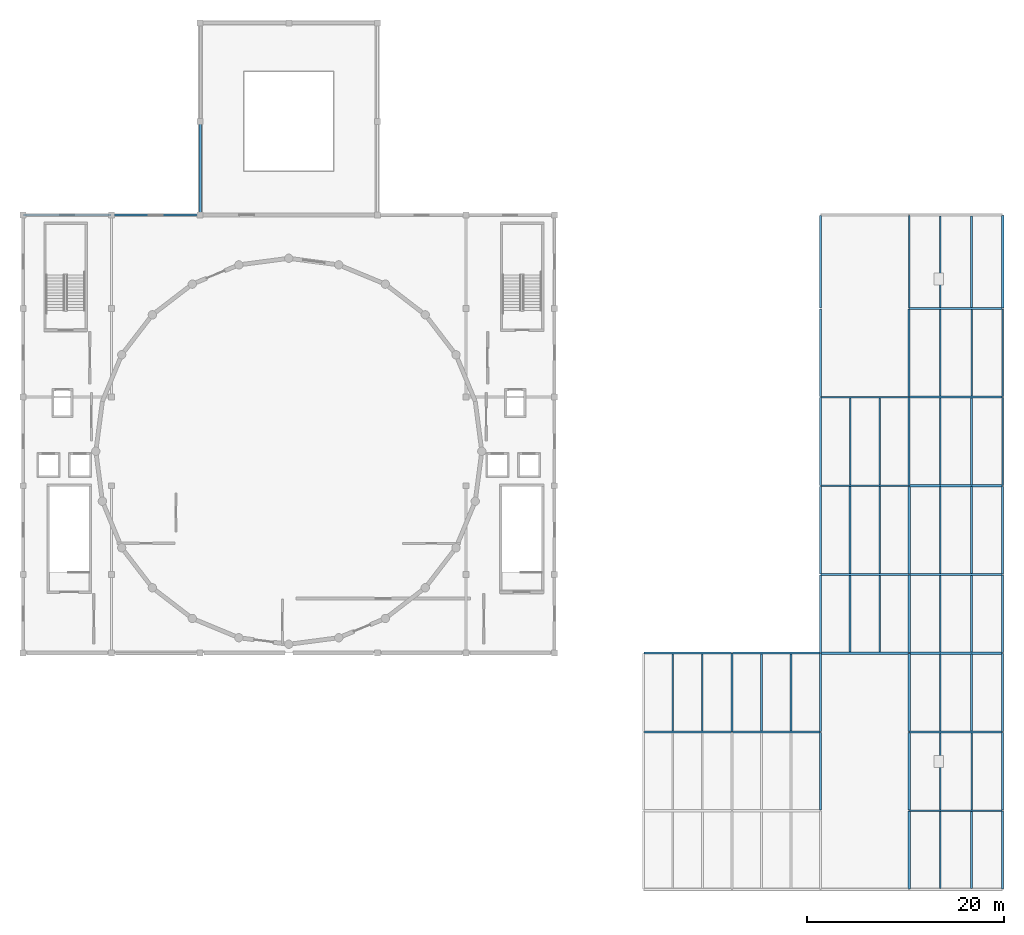
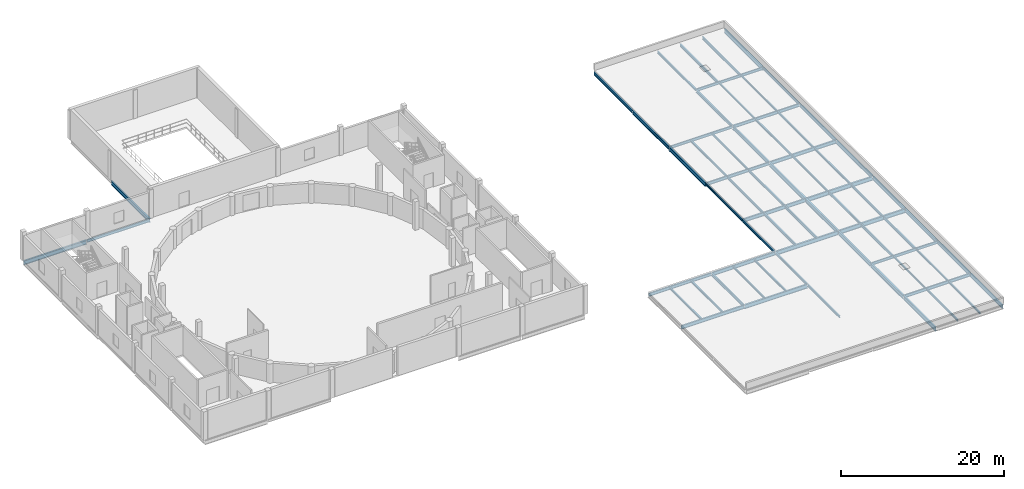
# One storey, part 2 of 10: 68 beams.
"""IFC4 building model written with IfcOpenShell, lengths in metres."""

import ifcopenshell
import ifcopenshell.guid

model = None  # the IFC model being written
_history = None  # IfcOwnerHistory: only IFC2X3 demands one
_inside = {}  # id of a spatial element -> (the spatial element, [elements in it])
_under = {}  # id of a project, library or spatial element -> (it, [spatial elements below it])
_declared = {}  # id of a project -> (the project, [libraries it declares])
_typed = {}  # id of a type object -> (the type object, [elements of that type])
_made_of = {}  # id of a material, layer set ... -> (it, [elements and type objects made of it])


def new_model(schema):
    """Start an empty IFC model of exactly this schema.

    Asked for "IFC4X3", IfcOpenShell would pick the latest addendum, in which some entities
    have other attributes; the version numbers below select the first issue.
    IFC2X3 requires an IfcOwnerHistory on every rooted entity: one is made here for all.
    """
    global model, _history
    if schema == "IFC4X3":
        model = ifcopenshell.file(schema_version=(4, 3, 0, 0))
    else:
        model = ifcopenshell.file(schema=schema)
    _inside.clear()
    _under.clear()
    _declared.clear()
    _typed.clear()
    _made_of.clear()
    _history = None
    if model.schema == "IFC2X3":
        org = make("IfcOrganization", Name="unknown")
        user = make(
            "IfcPersonAndOrganization",
            ThePerson=make("IfcPerson", FamilyName="unknown"),
            TheOrganization=org,
        )
        app = make(
            "IfcApplication",
            ApplicationDeveloper=org,
            Version="unknown",
            ApplicationFullName="unknown",
            ApplicationIdentifier="unknown",
        )
        _history = make(
            "IfcOwnerHistory",
            OwningUser=user,
            OwningApplication=app,
            ChangeAction="ADDED",
            CreationDate=0,
        )
    return model


def make(cls, **values):
    """One entity of the class cls with the attributes given. An attribute that is None is left unset."""
    return model.create_entity(
        cls, **{name: value for name, value in values.items() if value is not None}
    )


def rooted(cls, **values):
    """An entity with a GlobalId (a new one), such as an element, a storey or a relation."""
    return make(cls, GlobalId=ifcopenshell.guid.new(), OwnerHistory=_history, **values)


def si_unit(unit_type, name, prefix=None):
    """IfcSIUnit, for example si_unit("LENGTHUNIT", "METRE", prefix="MILLI")."""
    return make("IfcSIUnit", UnitType=unit_type, Prefix=prefix, Name=name)


def assignment(units):
    """IfcUnitAssignment: the units of a project."""
    return None if units is None else make("IfcUnitAssignment", Units=units)


def point(xyz):
    """IfcCartesianPoint."""
    return None if xyz is None else make("IfcCartesianPoint", Coordinates=xyz)


def direction(xyz):
    """IfcDirection."""
    return None if xyz is None else make("IfcDirection", DirectionRatios=xyz)


def frame(location, z_axis=None, x_axis=None):
    """IfcAxis2Placement3D, a coordinate frame: its origin and axes. An axis left out is left unset."""
    return make(
        "IfcAxis2Placement3D",
        Location=point(location),
        Axis=direction(z_axis),
        RefDirection=direction(x_axis),
    )


def frame_2d(location, x_axis=None):
    """IfcAxis2Placement2D, a coordinate frame in the plane: its origin and x axis."""
    return make(
        "IfcAxis2Placement2D", Location=point(location), RefDirection=direction(x_axis)
    )


def origin():
    """The frame at (0, 0, 0) with its axes left unset."""
    return frame((0.0, 0.0, 0.0))


def origin_2d():
    """The frame at (0, 0) in the plane with its x axis left unset."""
    return frame_2d((0.0, 0.0))


def place(relative_to, where):
    """IfcLocalPlacement: puts the frame where relative to a parent placement (None: the world)."""
    return make(
        "IfcLocalPlacement", PlacementRelTo=relative_to, RelativePlacement=where
    )


def context(
    kind, dimensions, precision=None, world=None, true_north=None, identifier=None
):
    """IfcGeometricRepresentationContext, for example the 3D "Model" context."""
    return make(
        "IfcGeometricRepresentationContext",
        ContextIdentifier=identifier,
        ContextType=kind,
        CoordinateSpaceDimension=dimensions,
        Precision=precision,
        WorldCoordinateSystem=world,
        TrueNorth=true_north,
    )


def subcontext(parent, identifier, kind, view, scale=None):
    """IfcGeometricRepresentationSubContext, for example "Body" below "Model"."""
    return make(
        "IfcGeometricRepresentationSubContext",
        ContextIdentifier=identifier,
        ContextType=kind,
        ParentContext=parent,
        TargetScale=scale,
        TargetView=view,
    )


def project(units=None, contexts=None):
    """IfcProject with its units and contexts."""
    return rooted(
        "IfcProject",
        Name="project",
        RepresentationContexts=contexts,
        UnitsInContext=assignment(units),
    )


def spatial(cls, under=None, at=None, **own):
    """A site, building, storey or space (cls), placed at a placement, below another one or the project."""
    s = rooted(cls, ObjectPlacement=at, **own)
    if under is not None:
        _under.setdefault(under.id(), (under, []))[1].append(s)
    return s


def profile(cls, at=None, kind="AREA", **sizes):
    """A parametric profile (cls). Its sizes go by their IFC names, for example OverallWidth=200.0."""
    return make(cls, ProfileType=kind, Position=at, **sizes)


def i_section(**sizes):
    """IfcIShapeProfileDef."""
    return profile("IfcIShapeProfileDef", **sizes)


def extrude(swept, where, along, depth):
    """IfcExtrudedAreaSolid: the profile swept, set in the frame where, extruded along a direction by depth."""
    return make(
        "IfcExtrudedAreaSolid",
        SweptArea=swept,
        Position=where,
        ExtrudedDirection=direction(along),
        Depth=depth,
    )


def shape(context_of_items, identifier, shape_type, items):
    """IfcShapeRepresentation: the items that make up one representation, for example the "Body"."""
    return make(
        "IfcShapeRepresentation",
        ContextOfItems=context_of_items,
        RepresentationIdentifier=identifier,
        RepresentationType=shape_type,
        Items=items,
    )


def material(Name=None, Category=None):
    """IfcMaterial."""
    return make("IfcMaterial", Name=Name, Category=Category)


def material_profile(
    of_material, cross_section, Name=None, Category=None, Priority=None
):
    """IfcMaterialProfile: a cross section and its material."""
    return make(
        "IfcMaterialProfile",
        Name=Name,
        Material=of_material,
        Profile=cross_section,
        Priority=Priority,
        Category=Category,
    )


def profile_set(profiles, Name=None, composite=None):
    """IfcMaterialProfileSet."""
    return make(
        "IfcMaterialProfileSet",
        Name=Name,
        MaterialProfiles=profiles,
        CompositeProfile=composite,
    )


def made_of(thing, what):
    """Note that an element or type object is made of a material, layer set ...; save() writes the relation."""
    if what is not None:
        _made_of.setdefault(what.id(), (what, []))[1].append(thing)
    return thing


def type_object(cls, material=None, **own):
    """A type object (cls), such as IfcWallType, which elements share."""
    return made_of(rooted(cls, **own), material)


def element(
    cls,
    number,
    at=None,
    inside=None,
    cuts=None,
    type_object=None,
    material=None,
    context=None,
    identifier="Body",
    shape_type=None,
    held_by="IfcProductDefinitionShape",
    body=None,
    shapes=None,
    **own,
):
    """One element of the class cls, such as IfcWall. Its Tag is "e" and its number.

    at: its placement. inside: the storey or other place that contains it. cuts: it is an
    opening in that element (IfcRelVoidsElement). A single representation is given by context,
    identifier, shape_type and body (its items); several are given by shapes. held_by: the class
    of the entity that holds the representations. save() writes the other relations.
    """
    e = rooted(cls, Tag="e%d" % number, ObjectPlacement=at, **own)
    if body is not None:
        shapes = [shape(context, identifier, shape_type, body)]
    if shapes is not None:
        e.Representation = make(held_by, Representations=shapes)
    if inside is not None:
        _inside.setdefault(inside.id(), (inside, []))[1].append(e)
    if cuts is not None:
        rooted(
            "IfcRelVoidsElement", RelatingBuildingElement=cuts, RelatedOpeningElement=e
        )
    if type_object is not None:
        _typed.setdefault(type_object.id(), (type_object, []))[1].append(e)
    return made_of(e, material)


def aggregate(whole, parts):
    """IfcRelAggregates: a whole, such as a stair, and the parts it consists of."""
    return rooted("IfcRelAggregates", RelatingObject=whole, RelatedObjects=parts)


def save(model, path):
    """Write the relations noted so far, then the file.

    IfcRelAggregates (storeys below a building ...), IfcRelContainedInSpatialStructure (elements
    in a storey), IfcRelDefinesByType, IfcRelAssociatesMaterial and IfcRelDeclares: one each for
    every whole, place, type object, material and project.
    """
    for whole, parts in _under.values():
        aggregate(whole, parts)
    for where, things in _inside.values():
        rooted(
            "IfcRelContainedInSpatialStructure",
            RelatedElements=things,
            RelatingStructure=where,
        )
    for kind, things in _typed.values():
        rooted("IfcRelDefinesByType", RelatedObjects=things, RelatingType=kind)
    for what, things in _made_of.values():
        rooted("IfcRelAssociatesMaterial", RelatedObjects=things, RelatingMaterial=what)
    for by, libraries in _declared.values():
        rooted("IfcRelDeclares", RelatingContext=by, RelatedDefinitions=libraries)
    model.write(path)


model = new_model("IFC4")

# Units and contexts
model_context = context("Model", 3, precision=1e-05, world=origin(), true_north=direction((0.0, 1.0)))
body_context = subcontext(model_context, "Body", "Model", "MODEL_VIEW")
ifc_project = project(units=[si_unit("LENGTHUNIT", "METRE"), si_unit("AREAUNIT", "SQUARE_METRE"), si_unit("VOLUMEUNIT", "CUBIC_METRE"), si_unit("PLANEANGLEUNIT", "RADIAN"), si_unit("MASSUNIT", "GRAM", prefix="KILO")], contexts=[model_context])

# Site, building, storey
site_placement = place(None, origin())
site = spatial("IfcSite", under=ifc_project, at=site_placement, CompositionType="ELEMENT")
building_placement = place(site_placement, origin())
building = spatial("IfcBuilding", under=site, at=building_placement, Name="Marnock Terrace Opera House", CompositionType="ELEMENT")
storey_placement = place(building_placement, frame((0.0, 0.0, 23.699951171875)))
storey = spatial("IfcBuildingStorey", under=building, at=storey_placement, Name="L05", CompositionType="ELEMENT", Elevation=23.699951171875)

# Beams
ifc_material = material(Name="Steel Grade 350 (AS/NZS 3679.1)", Category="steel")
ifc_material_profile_1 = material_profile(ifc_material, i_section(OverallWidth=0.1708984375, OverallDepth=0.355712890625, WebThickness=0.00732421875, FlangeThickness=0.011474609375, FilletRadius=0.011474609375, at=origin_2d()))
ifc_profile_set_1 = profile_set([ifc_material_profile_1], Name="Steel Grade 350 (AS/NZS 3679.1)")
beam_type_1 = type_object("IfcBeamType", Name="BM-GIRD-360", PredefinedType="BEAM", material=ifc_profile_set_1)
for number, where, z_axis, x_axis, name in (
    (1, (136.0, 24.050048828125, -0.397705078125), (0.0, 1.0, 0.0), (-1.0, 0.0, 0.0), "L05 girder (X=136.0, 24.0..32.0)"),
    (2, (136.0, 32.050048828125, -0.397705078125), (0.0, 1.0, 0.0), (-1.0, 0.0, 0.0), "L05 girder (X=136.0, 32.0..40.0)"),
    (3, (136.0, 40.050048828125, -0.397705078125), (0.0, 1.0, 0.0), (-1.0, 0.0, 0.0), "L05 girder (X=136.0, 40.0..48.0)"),
):
    element("IfcBeam", number, at=place(storey_placement, frame(where, z_axis=z_axis, x_axis=x_axis)), inside=storey, type_object=beam_type_1, Name=name, PredefinedType="BEAM", context=body_context, shape_type="SweptSolid", body=[
        extrude(i_section(OverallWidth=0.1708984375, OverallDepth=0.355712890625, WebThickness=0.00732421875, FlangeThickness=0.011474609375, FilletRadius=0.011474609375, at=origin_2d()), origin(), (0.0, 0.0, 1.0), 7.89990234375),
    ])
beam_1_placement = place(storey_placement, frame((136.0, 48.050048828125, -0.397705078125), z_axis=(0.0, 1.0, 0.0), x_axis=(-1.0, 0.0, 0.0)))
element("IfcBeam", 4, at=beam_1_placement, inside=storey, type_object=beam_type_1, Name="L05 girder (X=136.0, 48.0..57.0)", PredefinedType="BEAM", context=body_context, shape_type="SweptSolid", body=[
    extrude(i_section(OverallWidth=0.1708984375, OverallDepth=0.355712890625, WebThickness=0.00732421875, FlangeThickness=0.011474609375, FilletRadius=0.011474609375, at=origin_2d()), origin(), (0.0, 0.0, 1.0), 8.89990234375),
])
beam_2_placement = place(storey_placement, frame((145.0, 75.050048828125, -0.397705078125), z_axis=(0.0, 1.0, 0.0), x_axis=(-1.0, 0.0, 0.0)))
element("IfcBeam", 5, at=beam_2_placement, inside=storey, type_object=beam_type_1, Name="L05 girder (X=145.0, 75.0..84.5)", PredefinedType="BEAM", context=body_context, shape_type="SweptSolid", body=[
    extrude(i_section(OverallWidth=0.1708984375, OverallDepth=0.355712890625, WebThickness=0.00732421875, FlangeThickness=0.011474609375, FilletRadius=0.011474609375, at=origin_2d()), origin(), (0.0, 0.0, 1.0), 9.39990234375),
])
beam_3_placement = place(storey_placement, frame((154.5, 66.050048828125, -0.397705078125), z_axis=(0.0, 1.0, 0.0), x_axis=(-1.0, 0.0, 0.0)))
element("IfcBeam", 6, at=beam_3_placement, inside=storey, type_object=beam_type_1, Name="L05 girder (X=154.5, 66.0..75.0)", PredefinedType="BEAM", context=body_context, shape_type="SweptSolid", body=[
    extrude(i_section(OverallWidth=0.1708984375, OverallDepth=0.355712890625, WebThickness=0.00732421875, FlangeThickness=0.011474609375, FilletRadius=0.011474609375, at=origin_2d()), origin(), (0.0, 0.0, 1.0), 8.89990234375),
])
ifc_material_profile_2 = material_profile(ifc_material, i_section(OverallWidth=0.177978515625, OverallDepth=0.402587890625, WebThickness=0.007568359375, FlangeThickness=0.010986328125, FilletRadius=0.011474609375, at=origin_2d()))
ifc_profile_set_2 = profile_set([ifc_material_profile_2], Name="Steel Grade 350 (AS/NZS 3679.1)")
beam_type_2 = type_object("IfcBeamType", Name="BM-GIRD-410", PredefinedType="BEAM", material=ifc_profile_set_2)
beam_4_placement = place(storey_placement, frame((145.050048828125, 32.0, -0.421142578125), z_axis=(1.0, 0.0, 0.0), x_axis=(0.0, 1.0, 0.0)))
element("IfcBeam", 7, at=beam_4_placement, inside=storey, type_object=beam_type_2, Name="L05 girder (145.0..154.5, Y=32.0)", PredefinedType="BEAM", context=body_context, shape_type="SweptSolid", body=[
    extrude(i_section(OverallWidth=0.177978515625, OverallDepth=0.402587890625, WebThickness=0.007568359375, FlangeThickness=0.010986328125, FilletRadius=0.011474609375, at=origin_2d()), origin(), (0.0, 0.0, 1.0), 9.39990234375),
])
beam_5_placement = place(storey_placement, frame((136.050048828125, 66.0, -0.421142578125), z_axis=(1.0, 0.0, 0.0), x_axis=(0.0, 1.0, 0.0)))
element("IfcBeam", 8, at=beam_5_placement, inside=storey, type_object=beam_type_2, Name="L05 girder (136.0..145.0, Y=66.0)", PredefinedType="BEAM", context=body_context, shape_type="SweptSolid", body=[
    extrude(i_section(OverallWidth=0.177978515625, OverallDepth=0.402587890625, WebThickness=0.007568359375, FlangeThickness=0.010986328125, FilletRadius=0.011474609375, at=origin_2d()), origin(), (0.0, 0.0, 1.0), 8.89990234375),
])
beam_6_placement = place(storey_placement, frame((145.050048828125, 75.0, -0.421142578125), z_axis=(1.0, 0.0, 0.0), x_axis=(0.0, 1.0, 0.0)))
element("IfcBeam", 9, at=beam_6_placement, inside=storey, type_object=beam_type_2, Name="L05 girder (145.0..154.5, Y=75.0)", PredefinedType="BEAM", context=body_context, shape_type="SweptSolid", body=[
    extrude(i_section(OverallWidth=0.177978515625, OverallDepth=0.402587890625, WebThickness=0.007568359375, FlangeThickness=0.010986328125, FilletRadius=0.011474609375, at=origin_2d()), origin(), (0.0, 0.0, 1.0), 9.39990234375),
])
beam_7_placement = place(storey_placement, frame((64.050048828125, 84.5, -0.451171875), z_axis=(1.0, 0.0, 0.0), x_axis=(0.0, 1.0, 0.0)))
element("IfcBeam", 10, at=beam_7_placement, inside=storey, type_object=beam_type_2, Name="L05 girder (64.0..73.0, Y=84.5)", PredefinedType="BEAM", context=body_context, shape_type="SweptSolid", body=[
    extrude(i_section(OverallWidth=0.177978515625, OverallDepth=0.402587890625, WebThickness=0.007568359375, FlangeThickness=0.010986328125, FilletRadius=0.011474609375, at=origin_2d()), origin(), (0.0, 0.0, 1.0), 8.89990234375),
])
ifc_material_profile_3 = material_profile(ifc_material, i_section(OverallWidth=0.19091796875, OverallDepth=0.46044921875, WebThickness=0.010009765625, FlangeThickness=0.01611328125, FilletRadius=0.011474609375, at=origin_2d()))
ifc_profile_set_3 = profile_set([ifc_material_profile_3], Name="Steel Grade 350 (AS/NZS 3679.1)")
beam_type_3 = type_object("IfcBeamType", Name="BM-GIRD-460A", PredefinedType="BEAM", material=ifc_profile_set_3)
beam_8_placement = place(storey_placement, frame((145.050048828125, 24.0, -0.4501953125), z_axis=(1.0, 0.0, 0.0), x_axis=(0.0, 1.0, 0.0)))
element("IfcBeam", 11, at=beam_8_placement, inside=storey, type_object=beam_type_3, Name="L05 girder (145.0..154.5, Y=24.0)", PredefinedType="BEAM", context=body_context, shape_type="SweptSolid", body=[
    extrude(i_section(OverallWidth=0.19091796875, OverallDepth=0.46044921875, WebThickness=0.010009765625, FlangeThickness=0.01611328125, FilletRadius=0.011474609375, at=origin_2d()), origin(), (0.0, 0.0, 1.0), 9.39990234375),
])
for number, where, z_axis, x_axis, name in (
    (12, (118.050048828125, 40.0, -0.4501953125), (1.0, 0.0, 0.0), (0.0, 1.0, 0.0), "L05 girder (118.0..127.0, Y=40.0)"),
    (13, (136.050048828125, 57.0, -0.4501953125), (1.0, 0.0, 0.0), (0.0, 1.0, 0.0), "L05 girder (136.0..145.0, Y=57.0)"),
):
    element("IfcBeam", number, at=place(storey_placement, frame(where, z_axis=z_axis, x_axis=x_axis)), inside=storey, type_object=beam_type_3, Name=name, PredefinedType="BEAM", context=body_context, shape_type="SweptSolid", body=[
        extrude(i_section(OverallWidth=0.19091796875, OverallDepth=0.46044921875, WebThickness=0.010009765625, FlangeThickness=0.01611328125, FilletRadius=0.011474609375, at=origin_2d()), origin(), (0.0, 0.0, 1.0), 8.89990234375),
    ])
beam_9_placement = place(storey_placement, frame((145.050048828125, 66.0, -0.4501953125), z_axis=(1.0, 0.0, 0.0), x_axis=(0.0, 1.0, 0.0)))
element("IfcBeam", 14, at=beam_9_placement, inside=storey, type_object=beam_type_3, Name="L05 girder (145.0..154.5, Y=66.0)", PredefinedType="BEAM", context=body_context, shape_type="SweptSolid", body=[
    extrude(i_section(OverallWidth=0.19091796875, OverallDepth=0.46044921875, WebThickness=0.010009765625, FlangeThickness=0.01611328125, FilletRadius=0.011474609375, at=origin_2d()), origin(), (0.0, 0.0, 1.0), 9.39990234375),
])
ifc_material_profile_4 = material_profile(ifc_material, i_section(OverallWidth=0.18994140625, OverallDepth=0.45751953125, WebThickness=0.009033203125, FlangeThickness=0.014404296875, FilletRadius=0.011474609375, at=origin_2d()))
ifc_profile_set_4 = profile_set([ifc_material_profile_4], Name="Steel Grade 350 (AS/NZS 3679.1)")
beam_type_4 = type_object("IfcBeamType", Name="BM-GIRD-460B", PredefinedType="BEAM", material=ifc_profile_set_4)
beam_10_placement = place(storey_placement, frame((127.0, 32.050048828125, -0.44873046875), z_axis=(0.0, 1.0, 0.0), x_axis=(-1.0, 0.0, 0.0)))
element("IfcBeam", 15, at=beam_10_placement, inside=storey, type_object=beam_type_4, Name="L05 girder (X=127.0, 32.0..40.0)", PredefinedType="BEAM", context=body_context, shape_type="SweptSolid", body=[
    extrude(i_section(OverallWidth=0.18994140625, OverallDepth=0.45751953125, WebThickness=0.009033203125, FlangeThickness=0.014404296875, FilletRadius=0.011474609375, at=origin_2d()), origin(), (0.0, 0.0, 1.0), 7.89990234375),
])
beam_11_placement = place(storey_placement, frame((136.0, 75.050048828125, -0.44873046875), z_axis=(0.0, 1.0, 0.0), x_axis=(-1.0, 0.0, 0.0)))
element("IfcBeam", 16, at=beam_11_placement, inside=storey, type_object=beam_type_4, Name="L05 girder (X=136.0, 75.0..84.5)", PredefinedType="BEAM", context=body_context, shape_type="SweptSolid", body=[
    extrude(i_section(OverallWidth=0.18994140625, OverallDepth=0.45751953125, WebThickness=0.009033203125, FlangeThickness=0.014404296875, FilletRadius=0.011474609375, at=origin_2d()), origin(), (0.0, 0.0, 1.0), 9.39990234375),
])
for number, where, z_axis, x_axis, name in (
    (17, (145.0, 66.050048828125, -0.44873046875), (0.0, 1.0, 0.0), (-1.0, 0.0, 0.0), "L05 girder (X=145.0, 66.0..75.0)"),
    (18, (154.5, 57.050048828125, -0.44873046875), (0.0, 1.0, 0.0), (-1.0, 0.0, 0.0), "L05 girder (X=154.5, 57.0..66.0)"),
):
    element("IfcBeam", number, at=place(storey_placement, frame(where, z_axis=z_axis, x_axis=x_axis)), inside=storey, type_object=beam_type_4, Name=name, PredefinedType="BEAM", context=body_context, shape_type="SweptSolid", body=[
        extrude(i_section(OverallWidth=0.18994140625, OverallDepth=0.45751953125, WebThickness=0.009033203125, FlangeThickness=0.014404296875, FilletRadius=0.011474609375, at=origin_2d()), origin(), (0.0, 0.0, 1.0), 8.89990234375),
    ])
ifc_material_profile_5 = material_profile(ifc_material, i_section(OverallWidth=0.208984375, OverallDepth=0.532958984375, WebThickness=0.01025390625, FlangeThickness=0.015625, FilletRadius=0.013916015625, at=origin_2d()))
ifc_profile_set_5 = profile_set([ifc_material_profile_5], Name="Steel Grade 350 (AS/NZS 3679.1)")
beam_type_5 = type_object("IfcBeamType", Name="BM-GIRD-530A", PredefinedType="BEAM", material=ifc_profile_set_5)
for number, where, z_axis, x_axis, name in (
    (19, (118.050048828125, 32.0, -0.486572265625), (1.0, 0.0, 0.0), (0.0, 1.0, 0.0), "L05 girder (118.0..127.0, Y=32.0)"),
    (20, (127.050048828125, 40.0, -0.486572265625), (1.0, 0.0, 0.0), (0.0, 1.0, 0.0), "L05 girder (127.0..136.0, Y=40.0)"),
    (21, (136.050048828125, 48.0, -0.486572265625), (1.0, 0.0, 0.0), (0.0, 1.0, 0.0), "L05 girder (136.0..145.0, Y=48.0)"),
):
    element("IfcBeam", number, at=place(storey_placement, frame(where, z_axis=z_axis, x_axis=x_axis)), inside=storey, type_object=beam_type_5, Name=name, PredefinedType="BEAM", context=body_context, shape_type="SweptSolid", body=[
        extrude(i_section(OverallWidth=0.208984375, OverallDepth=0.532958984375, WebThickness=0.01025390625, FlangeThickness=0.015625, FilletRadius=0.013916015625, at=origin_2d()), origin(), (0.0, 0.0, 1.0), 8.89990234375),
    ])
beam_12_placement = place(storey_placement, frame((145.050048828125, 57.0, -0.486572265625), z_axis=(1.0, 0.0, 0.0), x_axis=(0.0, 1.0, 0.0)))
element("IfcBeam", 22, at=beam_12_placement, inside=storey, type_object=beam_type_5, Name="L05 girder (145.0..154.5, Y=57.0)", PredefinedType="BEAM", context=body_context, shape_type="SweptSolid", body=[
    extrude(i_section(OverallWidth=0.208984375, OverallDepth=0.532958984375, WebThickness=0.01025390625, FlangeThickness=0.015625, FilletRadius=0.013916015625, at=origin_2d()), origin(), (0.0, 0.0, 1.0), 9.39990234375),
])
ifc_material_profile_6 = material_profile(ifc_material, i_section(OverallWidth=0.208984375, OverallDepth=0.528076171875, WebThickness=0.009521484375, FlangeThickness=0.01318359375, FilletRadius=0.013916015625, at=origin_2d()))
ifc_profile_set_6 = profile_set([ifc_material_profile_6], Name="Steel Grade 350 (AS/NZS 3679.1)")
beam_type_6 = type_object("IfcBeamType", Name="BM-GIRD-530B", PredefinedType="BEAM", material=ifc_profile_set_6)
for number, where, z_axis, x_axis, name in (
    (23, (136.0, 66.050048828125, -0.48388671875), (0.0, 1.0, 0.0), (-1.0, 0.0, 0.0), "L05 girder (X=136.0, 66.0..75.0)"),
    (24, (145.0, 57.050048828125, -0.48388671875), (0.0, 1.0, 0.0), (-1.0, 0.0, 0.0), "L05 girder (X=145.0, 57.0..66.0)"),
):
    element("IfcBeam", number, at=place(storey_placement, frame(where, z_axis=z_axis, x_axis=x_axis)), inside=storey, type_object=beam_type_6, Name=name, PredefinedType="BEAM", context=body_context, shape_type="SweptSolid", body=[
        extrude(i_section(OverallWidth=0.208984375, OverallDepth=0.528076171875, WebThickness=0.009521484375, FlangeThickness=0.01318359375, FilletRadius=0.013916015625, at=origin_2d()), origin(), (0.0, 0.0, 1.0), 8.89990234375),
    ])
for number, where, z_axis, x_axis, name in (
    (25, (154.5, 16.050048828125, -0.48388671875), (0.0, 1.0, 0.0), (-1.0, 0.0, 0.0), "L05 girder (X=154.5, 16.0..24.0)"),
    (26, (154.5, 24.050048828125, -0.48388671875), (0.0, 1.0, 0.0), (-1.0, 0.0, 0.0), "L05 girder (X=154.5, 24.0..32.0)"),
    (27, (154.5, 32.050048828125, -0.48388671875), (0.0, 1.0, 0.0), (-1.0, 0.0, 0.0), "L05 girder (X=154.5, 32.0..40.0)"),
    (28, (154.5, 40.050048828125, -0.48388671875), (0.0, 1.0, 0.0), (-1.0, 0.0, 0.0), "L05 girder (X=154.5, 40.0..48.0)"),
):
    element("IfcBeam", number, at=place(storey_placement, frame(where, z_axis=z_axis, x_axis=x_axis)), inside=storey, type_object=beam_type_6, Name=name, PredefinedType="BEAM", context=body_context, shape_type="SweptSolid", body=[
        extrude(i_section(OverallWidth=0.208984375, OverallDepth=0.528076171875, WebThickness=0.009521484375, FlangeThickness=0.01318359375, FilletRadius=0.013916015625, at=origin_2d()), origin(), (0.0, 0.0, 1.0), 7.89990234375),
    ])
beam_13_placement = place(storey_placement, frame((154.5, 48.050048828125, -0.48388671875), z_axis=(0.0, 1.0, 0.0), x_axis=(-1.0, 0.0, 0.0)))
element("IfcBeam", 29, at=beam_13_placement, inside=storey, type_object=beam_type_6, Name="L05 girder (X=154.5, 48.0..57.0)", PredefinedType="BEAM", context=body_context, shape_type="SweptSolid", body=[
    extrude(i_section(OverallWidth=0.208984375, OverallDepth=0.528076171875, WebThickness=0.009521484375, FlangeThickness=0.01318359375, FilletRadius=0.013916015625, at=origin_2d()), origin(), (0.0, 0.0, 1.0), 8.89990234375),
])
ifc_material_profile_7 = material_profile(ifc_material, i_section(OverallWidth=0.22900390625, OverallDepth=0.611572265625, WebThickness=0.011962890625, FlangeThickness=0.01953125, FilletRadius=0.013916015625, at=origin_2d()))
ifc_profile_set_7 = profile_set([ifc_material_profile_7], Name="Steel Grade 350 (AS/NZS 3679.1)")
beam_type_7 = type_object("IfcBeamType", Name="BM-GIRD-610A", PredefinedType="BEAM", material=ifc_profile_set_7)
beam_14_placement = place(storey_placement, frame((145.050048828125, 40.0, -0.525634765625), z_axis=(1.0, 0.0, 0.0), x_axis=(0.0, 1.0, 0.0)))
element("IfcBeam", 30, at=beam_14_placement, inside=storey, type_object=beam_type_7, Name="L05 girder (145.0..154.5, Y=40.0)", PredefinedType="BEAM", context=body_context, shape_type="SweptSolid", body=[
    extrude(i_section(OverallWidth=0.22900390625, OverallDepth=0.611572265625, WebThickness=0.011962890625, FlangeThickness=0.01953125, FilletRadius=0.013916015625, at=origin_2d()), origin(), (0.0, 0.0, 1.0), 9.39990234375),
])
beam_15_placement = place(storey_placement, frame((55.050048828125, 84.5, -0.5556640625), z_axis=(1.0, 0.0, 0.0), x_axis=(0.0, 1.0, 0.0)))
element("IfcBeam", 31, at=beam_15_placement, inside=storey, type_object=beam_type_7, Name="L05 girder (55.0..64.0, Y=84.5)", PredefinedType="BEAM", context=body_context, shape_type="SweptSolid", body=[
    extrude(i_section(OverallWidth=0.22900390625, OverallDepth=0.611572265625, WebThickness=0.011962890625, FlangeThickness=0.01953125, FilletRadius=0.013916015625, at=origin_2d()), origin(), (0.0, 0.0, 1.0), 8.89990234375),
])
ifc_material_profile_8 = material_profile(ifc_material, i_section(OverallWidth=0.22802734375, OverallDepth=0.60693359375, WebThickness=0.01123046875, FlangeThickness=0.017333984375, FilletRadius=0.013916015625, at=origin_2d()))
ifc_profile_set_8 = profile_set([ifc_material_profile_8], Name="Steel Grade 350 (AS/NZS 3679.1)")
beam_type_8 = type_object("IfcBeamType", Name="BM-GIRD-610B", PredefinedType="BEAM", material=ifc_profile_set_8)
for number, where, z_axis, x_axis, name in (
    (32, (127.050048828125, 32.0, -0.5234375), (1.0, 0.0, 0.0), (0.0, 1.0, 0.0), "L05 girder (127.0..136.0, Y=32.0)"),
    (33, (136.050048828125, 40.0, -0.5234375), (1.0, 0.0, 0.0), (0.0, 1.0, 0.0), "L05 girder (136.0..145.0, Y=40.0)"),
):
    element("IfcBeam", number, at=place(storey_placement, frame(where, z_axis=z_axis, x_axis=x_axis)), inside=storey, type_object=beam_type_8, Name=name, PredefinedType="BEAM", context=body_context, shape_type="SweptSolid", body=[
        extrude(i_section(OverallWidth=0.22802734375, OverallDepth=0.60693359375, WebThickness=0.01123046875, FlangeThickness=0.017333984375, FilletRadius=0.013916015625, at=origin_2d()), origin(), (0.0, 0.0, 1.0), 8.89990234375),
    ])
beam_16_placement = place(storey_placement, frame((145.050048828125, 48.0, -0.5234375), z_axis=(1.0, 0.0, 0.0), x_axis=(0.0, 1.0, 0.0)))
element("IfcBeam", 34, at=beam_16_placement, inside=storey, type_object=beam_type_8, Name="L05 girder (145.0..154.5, Y=48.0)", PredefinedType="BEAM", context=body_context, shape_type="SweptSolid", body=[
    extrude(i_section(OverallWidth=0.22802734375, OverallDepth=0.60693359375, WebThickness=0.01123046875, FlangeThickness=0.017333984375, FilletRadius=0.013916015625, at=origin_2d()), origin(), (0.0, 0.0, 1.0), 9.39990234375),
])
ifc_material_profile_9 = material_profile(ifc_material, i_section(OverallWidth=0.22802734375, OverallDepth=0.60205078125, WebThickness=0.010498046875, FlangeThickness=0.014892578125, FilletRadius=0.013916015625, at=origin_2d()))
ifc_profile_set_9 = profile_set([ifc_material_profile_9], Name="Steel Grade 350 (AS/NZS 3679.1)")
beam_type_9 = type_object("IfcBeamType", Name="BM-GIRD-610C", PredefinedType="BEAM", material=ifc_profile_set_9)
beam_17_placement = place(storey_placement, frame((73.0, 84.550048828125, -0.551025390625), z_axis=(0.0, 1.0, 0.0), x_axis=(-1.0, 0.0, 0.0)))
element("IfcBeam", 35, at=beam_17_placement, inside=storey, type_object=beam_type_9, Name="L05 girder (X=73.0, 84.5..94.0)", PredefinedType="BEAM", context=body_context, shape_type="SweptSolid", body=[
    extrude(i_section(OverallWidth=0.22802734375, OverallDepth=0.60205078125, WebThickness=0.010498046875, FlangeThickness=0.014892578125, FilletRadius=0.013916015625, at=origin_2d()), origin(), (0.0, 0.0, 1.0), 9.39990234375),
])
beam_18_placement = place(storey_placement, frame((136.0, 57.050048828125, -0.52099609375), z_axis=(0.0, 1.0, 0.0), x_axis=(-1.0, 0.0, 0.0)))
element("IfcBeam", 36, at=beam_18_placement, inside=storey, type_object=beam_type_9, Name="L05 girder (X=136.0, 57.0..66.0)", PredefinedType="BEAM", context=body_context, shape_type="SweptSolid", body=[
    extrude(i_section(OverallWidth=0.22802734375, OverallDepth=0.60205078125, WebThickness=0.010498046875, FlangeThickness=0.014892578125, FilletRadius=0.013916015625, at=origin_2d()), origin(), (0.0, 0.0, 1.0), 8.89990234375),
])
for number, where, z_axis, x_axis, name in (
    (37, (145.0, 16.050048828125, -0.52099609375), (0.0, 1.0, 0.0), (-1.0, 0.0, 0.0), "L05 girder (X=145.0, 16.0..24.0)"),
    (38, (145.0, 24.050048828125, -0.52099609375), (0.0, 1.0, 0.0), (-1.0, 0.0, 0.0), "L05 girder (X=145.0, 24.0..32.0)"),
    (39, (145.0, 32.050048828125, -0.52099609375), (0.0, 1.0, 0.0), (-1.0, 0.0, 0.0), "L05 girder (X=145.0, 32.0..40.0)"),
    (40, (145.0, 40.050048828125, -0.52099609375), (0.0, 1.0, 0.0), (-1.0, 0.0, 0.0), "L05 girder (X=145.0, 40.0..48.0)"),
):
    element("IfcBeam", number, at=place(storey_placement, frame(where, z_axis=z_axis, x_axis=x_axis)), inside=storey, type_object=beam_type_9, Name=name, PredefinedType="BEAM", context=body_context, shape_type="SweptSolid", body=[
        extrude(i_section(OverallWidth=0.22802734375, OverallDepth=0.60205078125, WebThickness=0.010498046875, FlangeThickness=0.014892578125, FilletRadius=0.013916015625, at=origin_2d()), origin(), (0.0, 0.0, 1.0), 7.89990234375),
    ])
beam_19_placement = place(storey_placement, frame((145.0, 48.050048828125, -0.52099609375), z_axis=(0.0, 1.0, 0.0), x_axis=(-1.0, 0.0, 0.0)))
element("IfcBeam", 41, at=beam_19_placement, inside=storey, type_object=beam_type_9, Name="L05 girder (X=145.0, 48.0..57.0)", PredefinedType="BEAM", context=body_context, shape_type="SweptSolid", body=[
    extrude(i_section(OverallWidth=0.22802734375, OverallDepth=0.60205078125, WebThickness=0.010498046875, FlangeThickness=0.014892578125, FilletRadius=0.013916015625, at=origin_2d()), origin(), (0.0, 0.0, 1.0), 8.89990234375),
])
beam_20_placement = place(storey_placement, frame((154.5, 75.050048828125, -0.52099609375), z_axis=(0.0, 1.0, 0.0), x_axis=(-1.0, 0.0, 0.0)))
element("IfcBeam", 42, at=beam_20_placement, inside=storey, type_object=beam_type_9, Name="L05 girder (X=154.5, 75.0..84.5)", PredefinedType="BEAM", context=body_context, shape_type="SweptSolid", body=[
    extrude(i_section(OverallWidth=0.22802734375, OverallDepth=0.60205078125, WebThickness=0.010498046875, FlangeThickness=0.014892578125, FilletRadius=0.013916015625, at=origin_2d()), origin(), (0.0, 0.0, 1.0), 9.39990234375),
])
ifc_material_profile_10 = material_profile(ifc_material, i_section(OverallWidth=0.14599609375, OverallDepth=0.256103515625, WebThickness=0.00634765625, FlangeThickness=0.010986328125, FilletRadius=0.0087890625, at=origin_2d()))
ifc_profile_set_10 = profile_set([ifc_material_profile_10], Name="Steel Grade 350 (AS/NZS 3679.1)")
beam_type_10 = type_object("IfcBeamType", Name="BM-JOIST-250", PredefinedType="JOIST", material=ifc_profile_set_10)
for number, where, z_axis, x_axis, name in (
    (43, (148.166748046875, 24.090576171875, -0.34814453125), (0.0, 1.0, 0.0), (-1.0, 0.0, 0.0), "L05 secondary joist 16.3.1"),
    (44, (151.333251953125, 24.090576171875, -0.34814453125), (0.0, 1.0, 0.0), (-1.0, 0.0, 0.0), "L05 secondary joist 16.3.2"),
):
    element("IfcBeam", number, at=place(storey_placement, frame(where, z_axis=z_axis, x_axis=x_axis)), inside=storey, type_object=beam_type_10, Name=name, PredefinedType="JOIST", context=body_context, shape_type="SweptSolid", body=[
        extrude(i_section(OverallWidth=0.14599609375, OverallDepth=0.256103515625, WebThickness=0.00634765625, FlangeThickness=0.010986328125, FilletRadius=0.0087890625, at=origin_2d()), origin(), (0.0, 0.0, 1.0), 7.825439453125),
    ])
for number, where, z_axis, x_axis, name in (
    (45, (148.166748046875, 66.090576171875, -0.34814453125), (0.0, 1.0, 0.0), (-1.0, 0.0, 0.0), "L05 secondary joist 16.8.1"),
    (46, (151.333251953125, 66.090576171875, -0.34814453125), (0.0, 1.0, 0.0), (-1.0, 0.0, 0.0), "L05 secondary joist 16.8.2"),
):
    element("IfcBeam", number, at=place(storey_placement, frame(where, z_axis=z_axis, x_axis=x_axis)), inside=storey, type_object=beam_type_10, Name=name, PredefinedType="JOIST", context=body_context, shape_type="SweptSolid", body=[
        extrude(i_section(OverallWidth=0.14599609375, OverallDepth=0.256103515625, WebThickness=0.00634765625, FlangeThickness=0.010986328125, FilletRadius=0.0087890625, at=origin_2d()), origin(), (0.0, 0.0, 1.0), 8.825439453125),
    ])
ifc_material_profile_11 = material_profile(ifc_material, i_section(OverallWidth=0.166015625, OverallDepth=0.30712890625, WebThickness=0.006591796875, FlangeThickness=0.01171875, FilletRadius=0.011474609375, at=origin_2d()))
ifc_profile_set_11 = profile_set([ifc_material_profile_11], Name="Steel Grade 350 (AS/NZS 3679.1)")
beam_type_11 = type_object("IfcBeamType", Name="BM-JOIST-310A", PredefinedType="JOIST", material=ifc_profile_set_11)
for number, where, z_axis, x_axis, name in (
    (47, (121.0, 32.099609375, -0.37353515625), (0.0, 1.0, 0.0), (-1.0, 0.0, 0.0), "L05 secondary joist 13.4.1"),
    (48, (124.0, 32.099609375, -0.37353515625), (0.0, 1.0, 0.0), (-1.0, 0.0, 0.0), "L05 secondary joist 13.4.2"),
):
    element("IfcBeam", number, at=place(storey_placement, frame(where, z_axis=z_axis, x_axis=x_axis)), inside=storey, type_object=beam_type_11, Name=name, PredefinedType="JOIST", context=body_context, shape_type="SweptSolid", body=[
        extrude(i_section(OverallWidth=0.166015625, OverallDepth=0.30712890625, WebThickness=0.006591796875, FlangeThickness=0.01171875, FilletRadius=0.011474609375, at=origin_2d()), origin(), (0.0, 0.0, 1.0), 7.809814453125),
    ])
for number, where, z_axis, x_axis, name in (
    (49, (139.0, 57.090576171875, -0.37353515625), (0.0, 1.0, 0.0), (-1.0, 0.0, 0.0), "L05 secondary joist 15.7.1"),
    (50, (142.0, 57.090576171875, -0.37353515625), (0.0, 1.0, 0.0), (-1.0, 0.0, 0.0), "L05 secondary joist 15.7.2"),
):
    element("IfcBeam", number, at=place(storey_placement, frame(where, z_axis=z_axis, x_axis=x_axis)), inside=storey, type_object=beam_type_11, Name=name, PredefinedType="JOIST", context=body_context, shape_type="SweptSolid", body=[
        extrude(i_section(OverallWidth=0.166015625, OverallDepth=0.30712890625, WebThickness=0.006591796875, FlangeThickness=0.01171875, FilletRadius=0.011474609375, at=origin_2d()), origin(), (0.0, 0.0, 1.0), 8.825439453125),
    ])
for number, where, z_axis, x_axis, name in (
    (51, (148.166748046875, 48.10888671875, -0.37353515625), (0.0, 1.0, 0.0), (-1.0, 0.0, 0.0), "L05 secondary joist 16.6.1"),
    (52, (151.333251953125, 48.10888671875, -0.37353515625), (0.0, 1.0, 0.0), (-1.0, 0.0, 0.0), "L05 secondary joist 16.6.2"),
):
    element("IfcBeam", number, at=place(storey_placement, frame(where, z_axis=z_axis, x_axis=x_axis)), inside=storey, type_object=beam_type_11, Name=name, PredefinedType="JOIST", context=body_context, shape_type="SweptSolid", body=[
        extrude(i_section(OverallWidth=0.166015625, OverallDepth=0.30712890625, WebThickness=0.006591796875, FlangeThickness=0.01171875, FilletRadius=0.011474609375, at=origin_2d()), origin(), (0.0, 0.0, 1.0), 8.79150390625),
    ])
ifc_material_profile_12 = material_profile(ifc_material, i_section(OverallWidth=0.1650390625, OverallDepth=0.3037109375, WebThickness=0.006103515625, FlangeThickness=0.01025390625, FilletRadius=0.011474609375, at=origin_2d()))
ifc_profile_set_12 = profile_set([ifc_material_profile_12], Name="Steel Grade 350 (AS/NZS 3679.1)")
beam_type_12 = type_object("IfcBeamType", Name="BM-JOIST-310B", PredefinedType="JOIST", material=ifc_profile_set_12)
for number, where, z_axis, x_axis, name in (
    (53, (130.0, 32.10888671875, -0.371826171875), (0.0, 1.0, 0.0), (-1.0, 0.0, 0.0), "L05 secondary joist 14.4.1"),
    (54, (133.0, 32.10888671875, -0.371826171875), (0.0, 1.0, 0.0), (-1.0, 0.0, 0.0), "L05 secondary joist 14.4.2"),
):
    element("IfcBeam", number, at=place(storey_placement, frame(where, z_axis=z_axis, x_axis=x_axis)), inside=storey, type_object=beam_type_12, Name=name, PredefinedType="JOIST", context=body_context, shape_type="SweptSolid", body=[
        extrude(i_section(OverallWidth=0.1650390625, OverallDepth=0.3037109375, WebThickness=0.006103515625, FlangeThickness=0.01025390625, FilletRadius=0.011474609375, at=origin_2d()), origin(), (0.0, 0.0, 1.0), 7.79150390625),
    ])
for number, where, z_axis, x_axis, name in (
    (55, (148.166748046875, 16.099609375, -0.371826171875), (0.0, 1.0, 0.0), (-1.0, 0.0, 0.0), "L05 secondary joist 16.2.1"),
    (56, (151.333251953125, 16.099609375, -0.371826171875), (0.0, 1.0, 0.0), (-1.0, 0.0, 0.0), "L05 secondary joist 16.2.2"),
):
    element("IfcBeam", number, at=place(storey_placement, frame(where, z_axis=z_axis, x_axis=x_axis)), inside=storey, type_object=beam_type_12, Name=name, PredefinedType="JOIST", context=body_context, shape_type="SweptSolid", body=[
        extrude(i_section(OverallWidth=0.1650390625, OverallDepth=0.3037109375, WebThickness=0.006103515625, FlangeThickness=0.01025390625, FilletRadius=0.011474609375, at=origin_2d()), origin(), (0.0, 0.0, 1.0), 7.809814453125),
    ])
for number, where, z_axis, x_axis, name in (
    (57, (148.166748046875, 57.099609375, -0.371826171875), (0.0, 1.0, 0.0), (-1.0, 0.0, 0.0), "L05 secondary joist 16.7.1"),
    (58, (151.333251953125, 57.099609375, -0.371826171875), (0.0, 1.0, 0.0), (-1.0, 0.0, 0.0), "L05 secondary joist 16.7.2"),
):
    element("IfcBeam", number, at=place(storey_placement, frame(where, z_axis=z_axis, x_axis=x_axis)), inside=storey, type_object=beam_type_12, Name=name, PredefinedType="JOIST", context=body_context, shape_type="SweptSolid", body=[
        extrude(i_section(OverallWidth=0.1650390625, OverallDepth=0.3037109375, WebThickness=0.006103515625, FlangeThickness=0.01025390625, FilletRadius=0.011474609375, at=origin_2d()), origin(), (0.0, 0.0, 1.0), 8.809814453125),
    ])
ifc_material_profile_13 = material_profile(ifc_material, i_section(OverallWidth=0.172119140625, OverallDepth=0.358642578125, WebThickness=0.008056640625, FlangeThickness=0.012939453125, FilletRadius=0.011474609375, at=origin_2d()))
ifc_profile_set_13 = profile_set([ifc_material_profile_13], Name="Steel Grade 350 (AS/NZS 3679.1)")
beam_type_13 = type_object("IfcBeamType", Name="BM-JOIST-360", PredefinedType="JOIST", material=ifc_profile_set_13)
for number, where, z_axis, x_axis, name in (
    (59, (139.0, 48.099609375, -0.399169921875), (0.0, 1.0, 0.0), (-1.0, 0.0, 0.0), "L05 secondary joist 15.6.1"),
    (60, (142.0, 48.099609375, -0.399169921875), (0.0, 1.0, 0.0), (-1.0, 0.0, 0.0), "L05 secondary joist 15.6.2"),
):
    element("IfcBeam", number, at=place(storey_placement, frame(where, z_axis=z_axis, x_axis=x_axis)), inside=storey, type_object=beam_type_13, Name=name, PredefinedType="JOIST", context=body_context, shape_type="SweptSolid", body=[
        extrude(i_section(OverallWidth=0.172119140625, OverallDepth=0.358642578125, WebThickness=0.008056640625, FlangeThickness=0.012939453125, FilletRadius=0.011474609375, at=origin_2d()), origin(), (0.0, 0.0, 1.0), 8.809814453125),
    ])
for number, where, z_axis, x_axis, name in (
    (61, (148.166748046875, 40.109619140625, -0.399169921875), (0.0, 1.0, 0.0), (-1.0, 0.0, 0.0), "L05 secondary joist 16.5.1"),
    (62, (151.333251953125, 40.109619140625, -0.399169921875), (0.0, 1.0, 0.0), (-1.0, 0.0, 0.0), "L05 secondary joist 16.5.2"),
):
    element("IfcBeam", number, at=place(storey_placement, frame(where, z_axis=z_axis, x_axis=x_axis)), inside=storey, type_object=beam_type_13, Name=name, PredefinedType="JOIST", context=body_context, shape_type="SweptSolid", body=[
        extrude(i_section(OverallWidth=0.172119140625, OverallDepth=0.358642578125, WebThickness=0.008056640625, FlangeThickness=0.012939453125, FilletRadius=0.011474609375, at=origin_2d()), origin(), (0.0, 0.0, 1.0), 7.781494140625),
    ])
ifc_material_profile_14 = material_profile(ifc_material, i_section(OverallWidth=0.177978515625, OverallDepth=0.406494140625, WebThickness=0.0078125, FlangeThickness=0.0126953125, FilletRadius=0.011474609375, at=origin_2d()))
ifc_profile_set_14 = profile_set([ifc_material_profile_14], Name="Steel Grade 350 (AS/NZS 3679.1)")
beam_type_14 = type_object("IfcBeamType", Name="BM-JOIST-410", PredefinedType="JOIST", material=ifc_profile_set_14)
for number, where, z_axis, x_axis, name in (
    (63, (139.0, 40.10888671875, -0.423095703125), (0.0, 1.0, 0.0), (-1.0, 0.0, 0.0), "L05 secondary joist 15.5.1"),
    (64, (142.0, 40.10888671875, -0.423095703125), (0.0, 1.0, 0.0), (-1.0, 0.0, 0.0), "L05 secondary joist 15.5.2"),
):
    element("IfcBeam", number, at=place(storey_placement, frame(where, z_axis=z_axis, x_axis=x_axis)), inside=storey, type_object=beam_type_14, Name=name, PredefinedType="JOIST", context=body_context, shape_type="SweptSolid", body=[
        extrude(i_section(OverallWidth=0.177978515625, OverallDepth=0.406494140625, WebThickness=0.0078125, FlangeThickness=0.0126953125, FilletRadius=0.011474609375, at=origin_2d()), origin(), (0.0, 0.0, 1.0), 7.79150390625),
    ])
for number, where, z_axis, x_axis, name in (
    (65, (148.166748046875, 32.083984375, -0.423095703125), (0.0, 1.0, 0.0), (-1.0, 0.0, 0.0), "L05 secondary joist 16.4.1"),
    (66, (151.333251953125, 32.083984375, -0.423095703125), (0.0, 1.0, 0.0), (-1.0, 0.0, 0.0), "L05 secondary joist 16.4.2"),
):
    element("IfcBeam", number, at=place(storey_placement, frame(where, z_axis=z_axis, x_axis=x_axis)), inside=storey, type_object=beam_type_14, Name=name, PredefinedType="JOIST", context=body_context, shape_type="SweptSolid", body=[
        extrude(i_section(OverallWidth=0.177978515625, OverallDepth=0.406494140625, WebThickness=0.0078125, FlangeThickness=0.0126953125, FilletRadius=0.011474609375, at=origin_2d()), origin(), (0.0, 0.0, 1.0), 7.806396484375),
    ])
for number, where, z_axis, x_axis, name in (
    (67, (148.166748046875, 75.083984375, -0.423095703125), (0.0, 1.0, 0.0), (-1.0, 0.0, 0.0), "L05 secondary joist 16.9.1"),
    (68, (151.333251953125, 75.083984375, -0.423095703125), (0.0, 1.0, 0.0), (-1.0, 0.0, 0.0), "L05 secondary joist 16.9.2"),
):
    element("IfcBeam", number, at=place(storey_placement, frame(where, z_axis=z_axis, x_axis=x_axis)), inside=storey, type_object=beam_type_14, Name=name, PredefinedType="JOIST", context=body_context, shape_type="SweptSolid", body=[
        extrude(i_section(OverallWidth=0.177978515625, OverallDepth=0.406494140625, WebThickness=0.0078125, FlangeThickness=0.0126953125, FilletRadius=0.011474609375, at=origin_2d()), origin(), (0.0, 0.0, 1.0), 9.306396484375),
    ])

save(model, "model.ifc")
